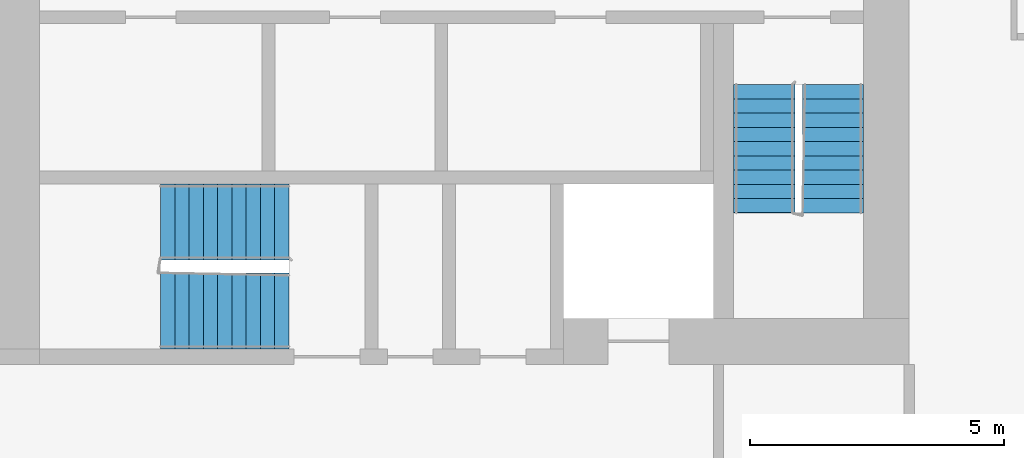
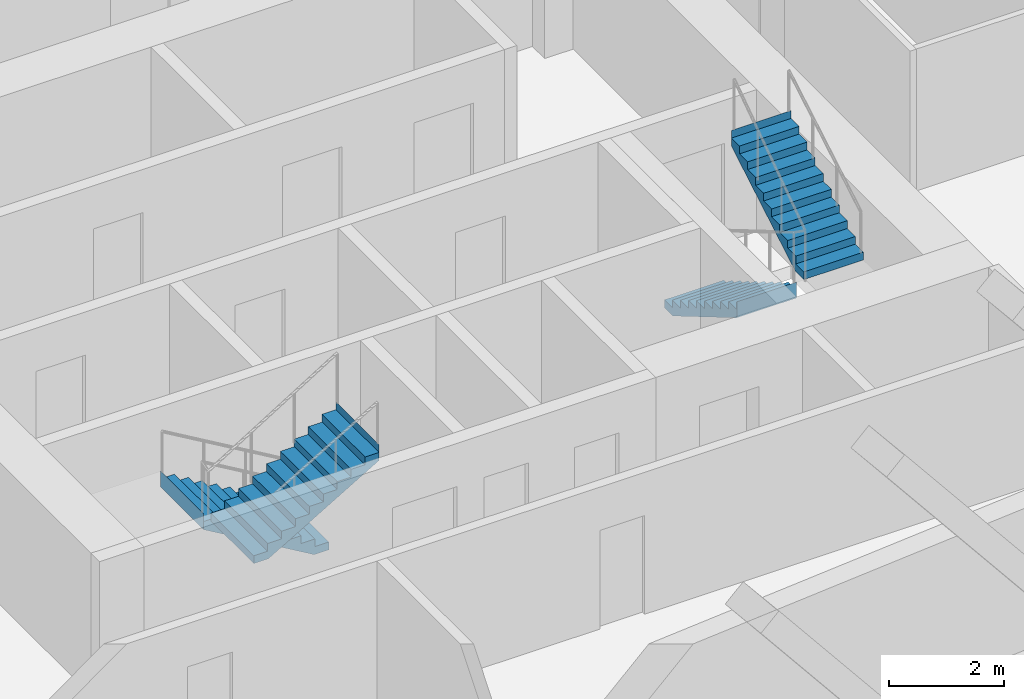
# One storey, part 8 of 12: 4 stair flights, 2 elements without a shape of their own.
"""IFC4 building model written with IfcOpenShell, lengths in metres."""

from ifc_helpers import new_model, si_unit, direction, frame, origin, place, context, subcontext, project, spatial, faceted_brep, material, type_object, element, aggregate, save


model = new_model("IFC4")

# Units and contexts
model_context = context("Model", 3, precision=1e-05, world=origin(), true_north=direction((0.0, 1.0)))
body_context = subcontext(model_context, "Body", "Model", "MODEL_VIEW")
ifc_project = project(units=[si_unit("LENGTHUNIT", "METRE"), si_unit("AREAUNIT", "SQUARE_METRE"), si_unit("VOLUMEUNIT", "CUBIC_METRE"), si_unit("PLANEANGLEUNIT", "RADIAN"), si_unit("MASSUNIT", "GRAM", prefix="KILO")], contexts=[model_context])

# Site, building, storey
site_placement = place(None, origin())
site = spatial("IfcSite", under=ifc_project, at=site_placement, CompositionType="ELEMENT")
building_placement = place(site_placement, origin())
building = spatial("IfcBuilding", under=site, at=building_placement, Name="Kajstack Hotel Tower", CompositionType="ELEMENT")
storey_placement = place(building_placement, frame((0.0, 0.0, 268.5)))
storey = spatial("IfcBuildingStorey", under=building, at=storey_placement, Name="L66", CompositionType="ELEMENT", Elevation=268.5)

# Stair, stair flights
ifc_material = material(Name="Concrete C40/50", Category="concrete")
stair_type_1 = type_object("IfcStairType", Name="Exit stair 1200", PredefinedType="HALF_TURN_STAIR", material=ifc_material)
stair_1_placement = place(storey_placement, origin())
stair_1 = element("IfcStair", 1, at=stair_1_placement, inside=storey, type_object=stair_type_1, Name="L66 stair W2", PredefinedType="HALF_TURN_STAIR")
stair_flight_type_1 = type_object("IfcStairFlightType", Name="Exit stair flight 1200", PredefinedType="STRAIGHT", material=ifc_material)
stair_flight_1_placement = place(storey_placement, frame((-16.35009765625, -10.0, 0.0), z_axis=(0.0, 0.0, 1.0), x_axis=(0.0, -1.0, 0.0)))
stair_flight_1 = element("IfcStairFlight", 2, at=stair_flight_1_placement, type_object=stair_flight_type_1, Name="W2 flight 1", NumberOfRisers=10, NumberOfTreads=9, PredefinedType="STRAIGHT", RiserHeight=0.165, TreadLength=0.28, context=body_context, shape_type="Brep", body=[
    faceted_brep([(0.295654296875, -0.60009765625, 0.0), (2.5205078125, -0.60009765625, 1.31103515625), (2.5205078125, -0.60009765625, 1.64990234375), (2.52001953125, -0.60009765625, 1.64990234375), (2.52001953125, -0.60009765625, 1.485107421875), (2.239990234375, -0.60009765625, 1.485107421875), (2.239990234375, -0.60009765625, 1.320068359375), (1.9599609375, -0.60009765625, 1.320068359375), (1.9599609375, -0.60009765625, 1.155029296875), (1.679931640625, -0.60009765625, 1.155029296875), (1.679931640625, -0.60009765625, 0.989990234375), (1.39990234375, -0.60009765625, 0.989990234375), (1.39990234375, -0.60009765625, 0.824951171875), (1.1201171875, -0.60009765625, 0.824951171875), (1.1201171875, -0.60009765625, 0.659912109375), (0.840087890625, -0.60009765625, 0.659912109375), (0.840087890625, -0.60009765625, 0.4951171875), (0.56005859375, -0.60009765625, 0.4951171875), (0.56005859375, -0.60009765625, 0.330078125), (0.280029296875, -0.60009765625, 0.330078125), (0.280029296875, -0.60009765625, 0.1650390625), (-0.00048828125, -0.60009765625, 0.1650390625), (-0.00048828125, -0.60009765625, 0.0), (-0.00048828125, 0.60009765625, 0.0), (-0.00048828125, 0.60009765625, 0.1650390625), (0.280029296875, 0.60009765625, 0.1650390625), (0.280029296875, 0.60009765625, 0.330078125), (0.56005859375, 0.60009765625, 0.330078125), (0.56005859375, 0.60009765625, 0.4951171875), (0.840087890625, 0.60009765625, 0.4951171875), (0.840087890625, 0.60009765625, 0.659912109375), (1.1201171875, 0.60009765625, 0.659912109375), (1.1201171875, 0.60009765625, 0.824951171875), (1.39990234375, 0.60009765625, 0.824951171875), (1.39990234375, 0.60009765625, 0.989990234375), (1.679931640625, 0.60009765625, 0.989990234375), (1.679931640625, 0.60009765625, 1.155029296875), (1.9599609375, 0.60009765625, 1.155029296875), (1.9599609375, 0.60009765625, 1.320068359375), (2.239990234375, 0.60009765625, 1.320068359375), (2.239990234375, 0.60009765625, 1.485107421875), (2.52001953125, 0.60009765625, 1.485107421875), (2.52001953125, 0.60009765625, 1.64990234375), (2.5205078125, 0.60009765625, 1.64990234375), (2.5205078125, 0.60009765625, 1.31103515625), (0.295654296875, 0.60009765625, 0.0), (-0.00048828125, -0.300048828125, 0.1650390625), (-0.00048828125, 0.0, 0.1650390625), (-0.00048828125, 0.300048828125, 0.1650390625), (-0.00048828125, 0.300048828125, 0.0), (-0.00048828125, 0.0, 0.0), (-0.00048828125, -0.300048828125, 0.0), (0.280029296875, -0.300048828125, 0.1650390625), (0.280029296875, 0.0, 0.1650390625), (0.280029296875, 0.300048828125, 0.1650390625), (0.280029296875, -0.300048828125, 0.330078125), (0.280029296875, 0.0, 0.330078125), (0.280029296875, 0.300048828125, 0.330078125), (0.56005859375, -0.300048828125, 0.330078125), (0.56005859375, 0.0, 0.330078125), (0.56005859375, 0.300048828125, 0.330078125), (0.56005859375, -0.300048828125, 0.4951171875), (0.56005859375, 0.0, 0.4951171875), (0.56005859375, 0.300048828125, 0.4951171875), (0.840087890625, -0.300048828125, 0.4951171875), (0.840087890625, 0.0, 0.4951171875), (0.840087890625, 0.300048828125, 0.4951171875), (0.840087890625, -0.300048828125, 0.659912109375), (0.840087890625, 0.0, 0.659912109375), (0.840087890625, 0.300048828125, 0.659912109375), (1.1201171875, -0.300048828125, 0.659912109375), (1.1201171875, 0.0, 0.659912109375), (1.1201171875, 0.300048828125, 0.659912109375), (1.1201171875, -0.300048828125, 0.824951171875), (1.1201171875, 0.0, 0.824951171875), (1.1201171875, 0.300048828125, 0.824951171875), (1.39990234375, -0.300048828125, 0.824951171875), (1.39990234375, 0.0, 0.824951171875), (1.39990234375, 0.300048828125, 0.824951171875), (1.39990234375, -0.300048828125, 0.989990234375), (1.39990234375, 0.0, 0.989990234375), (1.39990234375, 0.300048828125, 0.989990234375), (1.679931640625, -0.300048828125, 0.989990234375), (1.679931640625, 0.0, 0.989990234375), (1.679931640625, 0.300048828125, 0.989990234375), (1.679931640625, -0.300048828125, 1.155029296875), (1.679931640625, 0.0, 1.155029296875), (1.679931640625, 0.300048828125, 1.155029296875), (1.9599609375, -0.300048828125, 1.155029296875), (1.9599609375, 0.0, 1.155029296875), (1.9599609375, 0.300048828125, 1.155029296875), (1.9599609375, -0.300048828125, 1.320068359375), (1.9599609375, 0.0, 1.320068359375), (1.9599609375, 0.300048828125, 1.320068359375), (2.239990234375, -0.300048828125, 1.320068359375), (2.239990234375, 0.0, 1.320068359375), (2.239990234375, 0.300048828125, 1.320068359375), (2.239990234375, -0.300048828125, 1.485107421875), (2.239990234375, 0.0, 1.485107421875), (2.239990234375, 0.300048828125, 1.485107421875), (2.52001953125, -0.300048828125, 1.485107421875), (2.52001953125, 0.0, 1.485107421875), (2.52001953125, 0.300048828125, 1.485107421875), (2.52001953125, -0.300048828125, 1.64990234375), (2.52001953125, 0.0, 1.64990234375), (2.52001953125, 0.300048828125, 1.64990234375), (2.5205078125, -0.300048828125, 1.64990234375), (2.5205078125, 0.0, 1.64990234375), (2.5205078125, 0.300048828125, 1.64990234375), (2.5205078125, -0.300048828125, 1.31103515625), (2.5205078125, 0.0, 1.31103515625), (2.5205078125, 0.300048828125, 1.31103515625), (0.295654296875, -0.300048828125, 0.0), (0.295654296875, 0.0, 0.0), (0.295654296875, 0.300048828125, 0.0)], [[[0, 1, 2, 3, 4, 5, 6, 7, 8, 9, 10, 11, 12, 13, 14, 15, 16, 17, 18, 19, 20, 21, 22]], [[23, 24, 25, 26, 27, 28, 29, 30, 31, 32, 33, 34, 35, 36, 37, 38, 39, 40, 41, 42, 43, 44, 45]], [[21, 46, 47, 48, 24, 23, 49, 50, 51, 22]], [[20, 52, 53, 54, 25, 24, 48, 47, 46, 21]], [[19, 55, 56, 57, 26, 25, 54, 53, 52, 20]], [[18, 58, 59, 60, 27, 26, 57, 56, 55, 19]], [[17, 61, 62, 63, 28, 27, 60, 59, 58, 18]], [[16, 64, 65, 66, 29, 28, 63, 62, 61, 17]], [[15, 67, 68, 69, 30, 29, 66, 65, 64, 16]], [[14, 70, 71, 72, 31, 30, 69, 68, 67, 15]], [[13, 73, 74, 75, 32, 31, 72, 71, 70, 14]], [[12, 76, 77, 78, 33, 32, 75, 74, 73, 13]], [[11, 79, 80, 81, 34, 33, 78, 77, 76, 12]], [[10, 82, 83, 84, 35, 34, 81, 80, 79, 11]], [[9, 85, 86, 87, 36, 35, 84, 83, 82, 10]], [[8, 88, 89, 90, 37, 36, 87, 86, 85, 9]], [[7, 91, 92, 93, 38, 37, 90, 89, 88, 8]], [[6, 94, 95, 96, 39, 38, 93, 92, 91, 7]], [[5, 97, 98, 99, 40, 39, 96, 95, 94, 6]], [[4, 100, 101, 102, 41, 40, 99, 98, 97, 5]], [[3, 103, 104, 105, 42, 41, 102, 101, 100, 4]], [[2, 106, 107, 108, 43, 42, 105, 104, 103, 3]], [[1, 109, 110, 111, 44, 43, 108, 107, 106, 2]], [[0, 112, 113, 114, 45, 44, 111, 110, 109, 1]], [[22, 51, 50, 49, 23, 45, 114, 113, 112, 0]]]),
])
stair_flight_2_placement = place(storey_placement, frame((-15.0, -12.52001953125, 1.64990234375), z_axis=(0.0, 0.0, 1.0), x_axis=(0.0, 1.0, 0.0)))
stair_flight_2 = element("IfcStairFlight", 3, at=stair_flight_2_placement, type_object=stair_flight_type_1, Name="W2 flight 2", NumberOfRisers=10, NumberOfTreads=9, PredefinedType="STRAIGHT", RiserHeight=0.165, TreadLength=0.28, context=body_context, shape_type="Brep", body=[
    faceted_brep([(0.295654296875, -0.60009765625, 0.0), (2.5205078125, -0.60009765625, 1.31103515625), (2.5205078125, -0.60009765625, 1.64990234375), (2.52001953125, -0.60009765625, 1.64990234375), (2.52001953125, -0.60009765625, 1.485107421875), (2.239990234375, -0.60009765625, 1.485107421875), (2.239990234375, -0.60009765625, 1.320068359375), (1.9599609375, -0.60009765625, 1.320068359375), (1.9599609375, -0.60009765625, 1.155029296875), (1.679931640625, -0.60009765625, 1.155029296875), (1.679931640625, -0.60009765625, 0.989990234375), (1.39990234375, -0.60009765625, 0.989990234375), (1.39990234375, -0.60009765625, 0.824951171875), (1.1201171875, -0.60009765625, 0.824951171875), (1.1201171875, -0.60009765625, 0.659912109375), (0.840087890625, -0.60009765625, 0.659912109375), (0.840087890625, -0.60009765625, 0.4951171875), (0.56005859375, -0.60009765625, 0.4951171875), (0.56005859375, -0.60009765625, 0.330078125), (0.280029296875, -0.60009765625, 0.330078125), (0.280029296875, -0.60009765625, 0.1650390625), (-0.00048828125, -0.60009765625, 0.1650390625), (-0.00048828125, -0.60009765625, 0.0), (-0.00048828125, 0.60009765625, 0.0), (-0.00048828125, 0.60009765625, 0.1650390625), (0.280029296875, 0.60009765625, 0.1650390625), (0.280029296875, 0.60009765625, 0.330078125), (0.56005859375, 0.60009765625, 0.330078125), (0.56005859375, 0.60009765625, 0.4951171875), (0.840087890625, 0.60009765625, 0.4951171875), (0.840087890625, 0.60009765625, 0.659912109375), (1.1201171875, 0.60009765625, 0.659912109375), (1.1201171875, 0.60009765625, 0.824951171875), (1.39990234375, 0.60009765625, 0.824951171875), (1.39990234375, 0.60009765625, 0.989990234375), (1.679931640625, 0.60009765625, 0.989990234375), (1.679931640625, 0.60009765625, 1.155029296875), (1.9599609375, 0.60009765625, 1.155029296875), (1.9599609375, 0.60009765625, 1.320068359375), (2.239990234375, 0.60009765625, 1.320068359375), (2.239990234375, 0.60009765625, 1.485107421875), (2.52001953125, 0.60009765625, 1.485107421875), (2.52001953125, 0.60009765625, 1.64990234375), (2.5205078125, 0.60009765625, 1.64990234375), (2.5205078125, 0.60009765625, 1.31103515625), (0.295654296875, 0.60009765625, 0.0), (-0.00048828125, -0.300048828125, 0.1650390625), (-0.00048828125, 0.0, 0.1650390625), (-0.00048828125, 0.300048828125, 0.1650390625), (-0.00048828125, 0.300048828125, 0.0), (-0.00048828125, 0.0, 0.0), (-0.00048828125, -0.300048828125, 0.0), (0.280029296875, -0.300048828125, 0.1650390625), (0.280029296875, 0.0, 0.1650390625), (0.280029296875, 0.300048828125, 0.1650390625), (0.280029296875, -0.300048828125, 0.330078125), (0.280029296875, 0.0, 0.330078125), (0.280029296875, 0.300048828125, 0.330078125), (0.56005859375, -0.300048828125, 0.330078125), (0.56005859375, 0.0, 0.330078125), (0.56005859375, 0.300048828125, 0.330078125), (0.56005859375, -0.300048828125, 0.4951171875), (0.56005859375, 0.0, 0.4951171875), (0.56005859375, 0.300048828125, 0.4951171875), (0.840087890625, -0.300048828125, 0.4951171875), (0.840087890625, 0.0, 0.4951171875), (0.840087890625, 0.300048828125, 0.4951171875), (0.840087890625, -0.300048828125, 0.659912109375), (0.840087890625, 0.0, 0.659912109375), (0.840087890625, 0.300048828125, 0.659912109375), (1.1201171875, -0.300048828125, 0.659912109375), (1.1201171875, 0.0, 0.659912109375), (1.1201171875, 0.300048828125, 0.659912109375), (1.1201171875, -0.300048828125, 0.824951171875), (1.1201171875, 0.0, 0.824951171875), (1.1201171875, 0.300048828125, 0.824951171875), (1.39990234375, -0.300048828125, 0.824951171875), (1.39990234375, 0.0, 0.824951171875), (1.39990234375, 0.300048828125, 0.824951171875), (1.39990234375, -0.300048828125, 0.989990234375), (1.39990234375, 0.0, 0.989990234375), (1.39990234375, 0.300048828125, 0.989990234375), (1.679931640625, -0.300048828125, 0.989990234375), (1.679931640625, 0.0, 0.989990234375), (1.679931640625, 0.300048828125, 0.989990234375), (1.679931640625, -0.300048828125, 1.155029296875), (1.679931640625, 0.0, 1.155029296875), (1.679931640625, 0.300048828125, 1.155029296875), (1.9599609375, -0.300048828125, 1.155029296875), (1.9599609375, 0.0, 1.155029296875), (1.9599609375, 0.300048828125, 1.155029296875), (1.9599609375, -0.300048828125, 1.320068359375), (1.9599609375, 0.0, 1.320068359375), (1.9599609375, 0.300048828125, 1.320068359375), (2.239990234375, -0.300048828125, 1.320068359375), (2.239990234375, 0.0, 1.320068359375), (2.239990234375, 0.300048828125, 1.320068359375), (2.239990234375, -0.300048828125, 1.485107421875), (2.239990234375, 0.0, 1.485107421875), (2.239990234375, 0.300048828125, 1.485107421875), (2.52001953125, -0.300048828125, 1.485107421875), (2.52001953125, 0.0, 1.485107421875), (2.52001953125, 0.300048828125, 1.485107421875), (2.52001953125, -0.300048828125, 1.64990234375), (2.52001953125, 0.0, 1.64990234375), (2.52001953125, 0.300048828125, 1.64990234375), (2.5205078125, -0.300048828125, 1.64990234375), (2.5205078125, 0.0, 1.64990234375), (2.5205078125, 0.300048828125, 1.64990234375), (2.5205078125, -0.300048828125, 1.31103515625), (2.5205078125, 0.0, 1.31103515625), (2.5205078125, 0.300048828125, 1.31103515625), (0.295654296875, -0.300048828125, 0.0), (0.295654296875, 0.0, 0.0), (0.295654296875, 0.300048828125, 0.0)], [[[0, 1, 2, 3, 4, 5, 6, 7, 8, 9, 10, 11, 12, 13, 14, 15, 16, 17, 18, 19, 20, 21, 22]], [[23, 24, 25, 26, 27, 28, 29, 30, 31, 32, 33, 34, 35, 36, 37, 38, 39, 40, 41, 42, 43, 44, 45]], [[21, 46, 47, 48, 24, 23, 49, 50, 51, 22]], [[20, 52, 53, 54, 25, 24, 48, 47, 46, 21]], [[19, 55, 56, 57, 26, 25, 54, 53, 52, 20]], [[18, 58, 59, 60, 27, 26, 57, 56, 55, 19]], [[17, 61, 62, 63, 28, 27, 60, 59, 58, 18]], [[16, 64, 65, 66, 29, 28, 63, 62, 61, 17]], [[15, 67, 68, 69, 30, 29, 66, 65, 64, 16]], [[14, 70, 71, 72, 31, 30, 69, 68, 67, 15]], [[13, 73, 74, 75, 32, 31, 72, 71, 70, 14]], [[12, 76, 77, 78, 33, 32, 75, 74, 73, 13]], [[11, 79, 80, 81, 34, 33, 78, 77, 76, 12]], [[10, 82, 83, 84, 35, 34, 81, 80, 79, 11]], [[9, 85, 86, 87, 36, 35, 84, 83, 82, 10]], [[8, 88, 89, 90, 37, 36, 87, 86, 85, 9]], [[7, 91, 92, 93, 38, 37, 90, 89, 88, 8]], [[6, 94, 95, 96, 39, 38, 93, 92, 91, 7]], [[5, 97, 98, 99, 40, 39, 96, 95, 94, 6]], [[4, 100, 101, 102, 41, 40, 99, 98, 97, 5]], [[3, 103, 104, 105, 42, 41, 102, 101, 100, 4]], [[2, 106, 107, 108, 43, 42, 105, 104, 103, 3]], [[1, 109, 110, 111, 44, 43, 108, 107, 106, 2]], [[0, 112, 113, 114, 45, 44, 111, 110, 109, 1]], [[22, 51, 50, 49, 23, 45, 114, 113, 112, 0]]]),
])
aggregate(stair_1, [stair_flight_1, stair_flight_2])

stair_type_2 = type_object("IfcStairType", Name="Exit stair 1500", PredefinedType="HALF_TURN_STAIR", material=ifc_material)
stair_2_placement = place(storey_placement, origin())
stair_2 = element("IfcStair", 4, at=stair_2_placement, inside=storey, type_object=stair_type_2, Name="L66 stair W3", PredefinedType="HALF_TURN_STAIR")
stair_flight_type_2 = type_object("IfcStairFlightType", Name="Exit stair flight 1500", PredefinedType="STRAIGHT", material=ifc_material)
stair_flight_3_placement = place(storey_placement, frame((-25.699951171875, -12.699951171875, 0.0), z_axis=(0.0, 0.0, 1.0), x_axis=(-1.0, 0.0, 0.0)))
stair_flight_3 = element("IfcStairFlight", 5, at=stair_flight_3_placement, type_object=stair_flight_type_2, Name="W3 flight 1", NumberOfRisers=10, NumberOfTreads=9, PredefinedType="STRAIGHT", RiserHeight=0.165, TreadLength=0.28, context=body_context, shape_type="Brep", body=[
    faceted_brep([(0.295654296875, -0.75, 0.0), (2.5205078125, -0.75, 1.31103515625), (2.5205078125, -0.75, 1.64990234375), (2.52001953125, -0.75, 1.64990234375), (2.52001953125, -0.75, 1.485107421875), (2.239990234375, -0.75, 1.485107421875), (2.239990234375, -0.75, 1.320068359375), (1.9599609375, -0.75, 1.320068359375), (1.9599609375, -0.75, 1.155029296875), (1.679931640625, -0.75, 1.155029296875), (1.679931640625, -0.75, 0.989990234375), (1.39990234375, -0.75, 0.989990234375), (1.39990234375, -0.75, 0.824951171875), (1.1201171875, -0.75, 0.824951171875), (1.1201171875, -0.75, 0.659912109375), (0.840087890625, -0.75, 0.659912109375), (0.840087890625, -0.75, 0.4951171875), (0.56005859375, -0.75, 0.4951171875), (0.56005859375, -0.75, 0.330078125), (0.280029296875, -0.75, 0.330078125), (0.280029296875, -0.75, 0.1650390625), (-0.00048828125, -0.75, 0.1650390625), (-0.00048828125, -0.75, 0.0), (-0.00048828125, 0.75, 0.0), (-0.00048828125, 0.75, 0.1650390625), (0.280029296875, 0.75, 0.1650390625), (0.280029296875, 0.75, 0.330078125), (0.56005859375, 0.75, 0.330078125), (0.56005859375, 0.75, 0.4951171875), (0.840087890625, 0.75, 0.4951171875), (0.840087890625, 0.75, 0.659912109375), (1.1201171875, 0.75, 0.659912109375), (1.1201171875, 0.75, 0.824951171875), (1.39990234375, 0.75, 0.824951171875), (1.39990234375, 0.75, 0.989990234375), (1.679931640625, 0.75, 0.989990234375), (1.679931640625, 0.75, 1.155029296875), (1.9599609375, 0.75, 1.155029296875), (1.9599609375, 0.75, 1.320068359375), (2.239990234375, 0.75, 1.320068359375), (2.239990234375, 0.75, 1.485107421875), (2.52001953125, 0.75, 1.485107421875), (2.52001953125, 0.75, 1.64990234375), (2.5205078125, 0.75, 1.64990234375), (2.5205078125, 0.75, 1.31103515625), (0.295654296875, 0.75, 0.0), (-0.00048828125, -0.375, 0.1650390625), (-0.00048828125, 0.0, 0.1650390625), (-0.00048828125, 0.375, 0.1650390625), (-0.00048828125, 0.375, 0.0), (-0.00048828125, 0.0, 0.0), (-0.00048828125, -0.375, 0.0), (0.280029296875, -0.375, 0.1650390625), (0.280029296875, 0.0, 0.1650390625), (0.280029296875, 0.375, 0.1650390625), (0.280029296875, -0.375, 0.330078125), (0.280029296875, 0.0, 0.330078125), (0.280029296875, 0.375, 0.330078125), (0.56005859375, -0.375, 0.330078125), (0.56005859375, 0.0, 0.330078125), (0.56005859375, 0.375, 0.330078125), (0.56005859375, -0.375, 0.4951171875), (0.56005859375, 0.0, 0.4951171875), (0.56005859375, 0.375, 0.4951171875), (0.840087890625, -0.375, 0.4951171875), (0.840087890625, 0.0, 0.4951171875), (0.840087890625, 0.375, 0.4951171875), (0.840087890625, -0.375, 0.659912109375), (0.840087890625, 0.0, 0.659912109375), (0.840087890625, 0.375, 0.659912109375), (1.1201171875, -0.375, 0.659912109375), (1.1201171875, 0.0, 0.659912109375), (1.1201171875, 0.375, 0.659912109375), (1.1201171875, -0.375, 0.824951171875), (1.1201171875, 0.0, 0.824951171875), (1.1201171875, 0.375, 0.824951171875), (1.39990234375, -0.375, 0.824951171875), (1.39990234375, 0.0, 0.824951171875), (1.39990234375, 0.375, 0.824951171875), (1.39990234375, -0.375, 0.989990234375), (1.39990234375, 0.0, 0.989990234375), (1.39990234375, 0.375, 0.989990234375), (1.679931640625, -0.375, 0.989990234375), (1.679931640625, 0.0, 0.989990234375), (1.679931640625, 0.375, 0.989990234375), (1.679931640625, -0.375, 1.155029296875), (1.679931640625, 0.0, 1.155029296875), (1.679931640625, 0.375, 1.155029296875), (1.9599609375, -0.375, 1.155029296875), (1.9599609375, 0.0, 1.155029296875), (1.9599609375, 0.375, 1.155029296875), (1.9599609375, -0.375, 1.320068359375), (1.9599609375, 0.0, 1.320068359375), (1.9599609375, 0.375, 1.320068359375), (2.239990234375, -0.375, 1.320068359375), (2.239990234375, 0.0, 1.320068359375), (2.239990234375, 0.375, 1.320068359375), (2.239990234375, -0.375, 1.485107421875), (2.239990234375, 0.0, 1.485107421875), (2.239990234375, 0.375, 1.485107421875), (2.52001953125, -0.375, 1.485107421875), (2.52001953125, 0.0, 1.485107421875), (2.52001953125, 0.375, 1.485107421875), (2.52001953125, -0.375, 1.64990234375), (2.52001953125, 0.0, 1.64990234375), (2.52001953125, 0.375, 1.64990234375), (2.5205078125, -0.375, 1.64990234375), (2.5205078125, 0.0, 1.64990234375), (2.5205078125, 0.375, 1.64990234375), (2.5205078125, -0.375, 1.31103515625), (2.5205078125, 0.0, 1.31103515625), (2.5205078125, 0.375, 1.31103515625), (0.295654296875, -0.375, 0.0), (0.295654296875, 0.0, 0.0), (0.295654296875, 0.375, 0.0)], [[[0, 1, 2, 3, 4, 5, 6, 7, 8, 9, 10, 11, 12, 13, 14, 15, 16, 17, 18, 19, 20, 21, 22]], [[23, 24, 25, 26, 27, 28, 29, 30, 31, 32, 33, 34, 35, 36, 37, 38, 39, 40, 41, 42, 43, 44, 45]], [[21, 46, 47, 48, 24, 23, 49, 50, 51, 22]], [[20, 52, 53, 54, 25, 24, 48, 47, 46, 21]], [[19, 55, 56, 57, 26, 25, 54, 53, 52, 20]], [[18, 58, 59, 60, 27, 26, 57, 56, 55, 19]], [[17, 61, 62, 63, 28, 27, 60, 59, 58, 18]], [[16, 64, 65, 66, 29, 28, 63, 62, 61, 17]], [[15, 67, 68, 69, 30, 29, 66, 65, 64, 16]], [[14, 70, 71, 72, 31, 30, 69, 68, 67, 15]], [[13, 73, 74, 75, 32, 31, 72, 71, 70, 14]], [[12, 76, 77, 78, 33, 32, 75, 74, 73, 13]], [[11, 79, 80, 81, 34, 33, 78, 77, 76, 12]], [[10, 82, 83, 84, 35, 34, 81, 80, 79, 11]], [[9, 85, 86, 87, 36, 35, 84, 83, 82, 10]], [[8, 88, 89, 90, 37, 36, 87, 86, 85, 9]], [[7, 91, 92, 93, 38, 37, 90, 89, 88, 8]], [[6, 94, 95, 96, 39, 38, 93, 92, 91, 7]], [[5, 97, 98, 99, 40, 39, 96, 95, 94, 6]], [[4, 100, 101, 102, 41, 40, 99, 98, 97, 5]], [[3, 103, 104, 105, 42, 41, 102, 101, 100, 4]], [[2, 106, 107, 108, 43, 42, 105, 104, 103, 3]], [[1, 109, 110, 111, 44, 43, 108, 107, 106, 2]], [[0, 112, 113, 114, 45, 44, 111, 110, 109, 1]], [[22, 51, 50, 49, 23, 45, 114, 113, 112, 0]]]),
])
stair_flight_4_placement = place(storey_placement, frame((-28.219970703125, -14.449951171875, 1.64990234375), z_axis=(0.0, 0.0, 1.0), x_axis=(1.0, 0.0, 0.0)))
stair_flight_4 = element("IfcStairFlight", 6, at=stair_flight_4_placement, type_object=stair_flight_type_2, Name="W3 flight 2", NumberOfRisers=10, NumberOfTreads=9, PredefinedType="STRAIGHT", RiserHeight=0.165, TreadLength=0.28, context=body_context, shape_type="Brep", body=[
    faceted_brep([(0.295654296875, -0.75, 0.0), (2.5205078125, -0.75, 1.31103515625), (2.5205078125, -0.75, 1.64990234375), (2.52001953125, -0.75, 1.64990234375), (2.52001953125, -0.75, 1.485107421875), (2.239990234375, -0.75, 1.485107421875), (2.239990234375, -0.75, 1.320068359375), (1.9599609375, -0.75, 1.320068359375), (1.9599609375, -0.75, 1.155029296875), (1.679931640625, -0.75, 1.155029296875), (1.679931640625, -0.75, 0.989990234375), (1.39990234375, -0.75, 0.989990234375), (1.39990234375, -0.75, 0.824951171875), (1.1201171875, -0.75, 0.824951171875), (1.1201171875, -0.75, 0.659912109375), (0.840087890625, -0.75, 0.659912109375), (0.840087890625, -0.75, 0.4951171875), (0.56005859375, -0.75, 0.4951171875), (0.56005859375, -0.75, 0.330078125), (0.280029296875, -0.75, 0.330078125), (0.280029296875, -0.75, 0.1650390625), (-0.00048828125, -0.75, 0.1650390625), (-0.00048828125, -0.75, 0.0), (-0.00048828125, 0.75, 0.0), (-0.00048828125, 0.75, 0.1650390625), (0.280029296875, 0.75, 0.1650390625), (0.280029296875, 0.75, 0.330078125), (0.56005859375, 0.75, 0.330078125), (0.56005859375, 0.75, 0.4951171875), (0.840087890625, 0.75, 0.4951171875), (0.840087890625, 0.75, 0.659912109375), (1.1201171875, 0.75, 0.659912109375), (1.1201171875, 0.75, 0.824951171875), (1.39990234375, 0.75, 0.824951171875), (1.39990234375, 0.75, 0.989990234375), (1.679931640625, 0.75, 0.989990234375), (1.679931640625, 0.75, 1.155029296875), (1.9599609375, 0.75, 1.155029296875), (1.9599609375, 0.75, 1.320068359375), (2.239990234375, 0.75, 1.320068359375), (2.239990234375, 0.75, 1.485107421875), (2.52001953125, 0.75, 1.485107421875), (2.52001953125, 0.75, 1.64990234375), (2.5205078125, 0.75, 1.64990234375), (2.5205078125, 0.75, 1.31103515625), (0.295654296875, 0.75, 0.0), (-0.00048828125, -0.375, 0.1650390625), (-0.00048828125, 0.0, 0.1650390625), (-0.00048828125, 0.375, 0.1650390625), (-0.00048828125, 0.375, 0.0), (-0.00048828125, 0.0, 0.0), (-0.00048828125, -0.375, 0.0), (0.280029296875, -0.375, 0.1650390625), (0.280029296875, 0.0, 0.1650390625), (0.280029296875, 0.375, 0.1650390625), (0.280029296875, -0.375, 0.330078125), (0.280029296875, 0.0, 0.330078125), (0.280029296875, 0.375, 0.330078125), (0.56005859375, -0.375, 0.330078125), (0.56005859375, 0.0, 0.330078125), (0.56005859375, 0.375, 0.330078125), (0.56005859375, -0.375, 0.4951171875), (0.56005859375, 0.0, 0.4951171875), (0.56005859375, 0.375, 0.4951171875), (0.840087890625, -0.375, 0.4951171875), (0.840087890625, 0.0, 0.4951171875), (0.840087890625, 0.375, 0.4951171875), (0.840087890625, -0.375, 0.659912109375), (0.840087890625, 0.0, 0.659912109375), (0.840087890625, 0.375, 0.659912109375), (1.1201171875, -0.375, 0.659912109375), (1.1201171875, 0.0, 0.659912109375), (1.1201171875, 0.375, 0.659912109375), (1.1201171875, -0.375, 0.824951171875), (1.1201171875, 0.0, 0.824951171875), (1.1201171875, 0.375, 0.824951171875), (1.39990234375, -0.375, 0.824951171875), (1.39990234375, 0.0, 0.824951171875), (1.39990234375, 0.375, 0.824951171875), (1.39990234375, -0.375, 0.989990234375), (1.39990234375, 0.0, 0.989990234375), (1.39990234375, 0.375, 0.989990234375), (1.679931640625, -0.375, 0.989990234375), (1.679931640625, 0.0, 0.989990234375), (1.679931640625, 0.375, 0.989990234375), (1.679931640625, -0.375, 1.155029296875), (1.679931640625, 0.0, 1.155029296875), (1.679931640625, 0.375, 1.155029296875), (1.9599609375, -0.375, 1.155029296875), (1.9599609375, 0.0, 1.155029296875), (1.9599609375, 0.375, 1.155029296875), (1.9599609375, -0.375, 1.320068359375), (1.9599609375, 0.0, 1.320068359375), (1.9599609375, 0.375, 1.320068359375), (2.239990234375, -0.375, 1.320068359375), (2.239990234375, 0.0, 1.320068359375), (2.239990234375, 0.375, 1.320068359375), (2.239990234375, -0.375, 1.485107421875), (2.239990234375, 0.0, 1.485107421875), (2.239990234375, 0.375, 1.485107421875), (2.52001953125, -0.375, 1.485107421875), (2.52001953125, 0.0, 1.485107421875), (2.52001953125, 0.375, 1.485107421875), (2.52001953125, -0.375, 1.64990234375), (2.52001953125, 0.0, 1.64990234375), (2.52001953125, 0.375, 1.64990234375), (2.5205078125, -0.375, 1.64990234375), (2.5205078125, 0.0, 1.64990234375), (2.5205078125, 0.375, 1.64990234375), (2.5205078125, -0.375, 1.31103515625), (2.5205078125, 0.0, 1.31103515625), (2.5205078125, 0.375, 1.31103515625), (0.295654296875, -0.375, 0.0), (0.295654296875, 0.0, 0.0), (0.295654296875, 0.375, 0.0)], [[[0, 1, 2, 3, 4, 5, 6, 7, 8, 9, 10, 11, 12, 13, 14, 15, 16, 17, 18, 19, 20, 21, 22]], [[23, 24, 25, 26, 27, 28, 29, 30, 31, 32, 33, 34, 35, 36, 37, 38, 39, 40, 41, 42, 43, 44, 45]], [[21, 46, 47, 48, 24, 23, 49, 50, 51, 22]], [[20, 52, 53, 54, 25, 24, 48, 47, 46, 21]], [[19, 55, 56, 57, 26, 25, 54, 53, 52, 20]], [[18, 58, 59, 60, 27, 26, 57, 56, 55, 19]], [[17, 61, 62, 63, 28, 27, 60, 59, 58, 18]], [[16, 64, 65, 66, 29, 28, 63, 62, 61, 17]], [[15, 67, 68, 69, 30, 29, 66, 65, 64, 16]], [[14, 70, 71, 72, 31, 30, 69, 68, 67, 15]], [[13, 73, 74, 75, 32, 31, 72, 71, 70, 14]], [[12, 76, 77, 78, 33, 32, 75, 74, 73, 13]], [[11, 79, 80, 81, 34, 33, 78, 77, 76, 12]], [[10, 82, 83, 84, 35, 34, 81, 80, 79, 11]], [[9, 85, 86, 87, 36, 35, 84, 83, 82, 10]], [[8, 88, 89, 90, 37, 36, 87, 86, 85, 9]], [[7, 91, 92, 93, 38, 37, 90, 89, 88, 8]], [[6, 94, 95, 96, 39, 38, 93, 92, 91, 7]], [[5, 97, 98, 99, 40, 39, 96, 95, 94, 6]], [[4, 100, 101, 102, 41, 40, 99, 98, 97, 5]], [[3, 103, 104, 105, 42, 41, 102, 101, 100, 4]], [[2, 106, 107, 108, 43, 42, 105, 104, 103, 3]], [[1, 109, 110, 111, 44, 43, 108, 107, 106, 2]], [[0, 112, 113, 114, 45, 44, 111, 110, 109, 1]], [[22, 51, 50, 49, 23, 45, 114, 113, 112, 0]]]),
])
aggregate(stair_2, [stair_flight_3, stair_flight_4])

save(model, "model.ifc")
